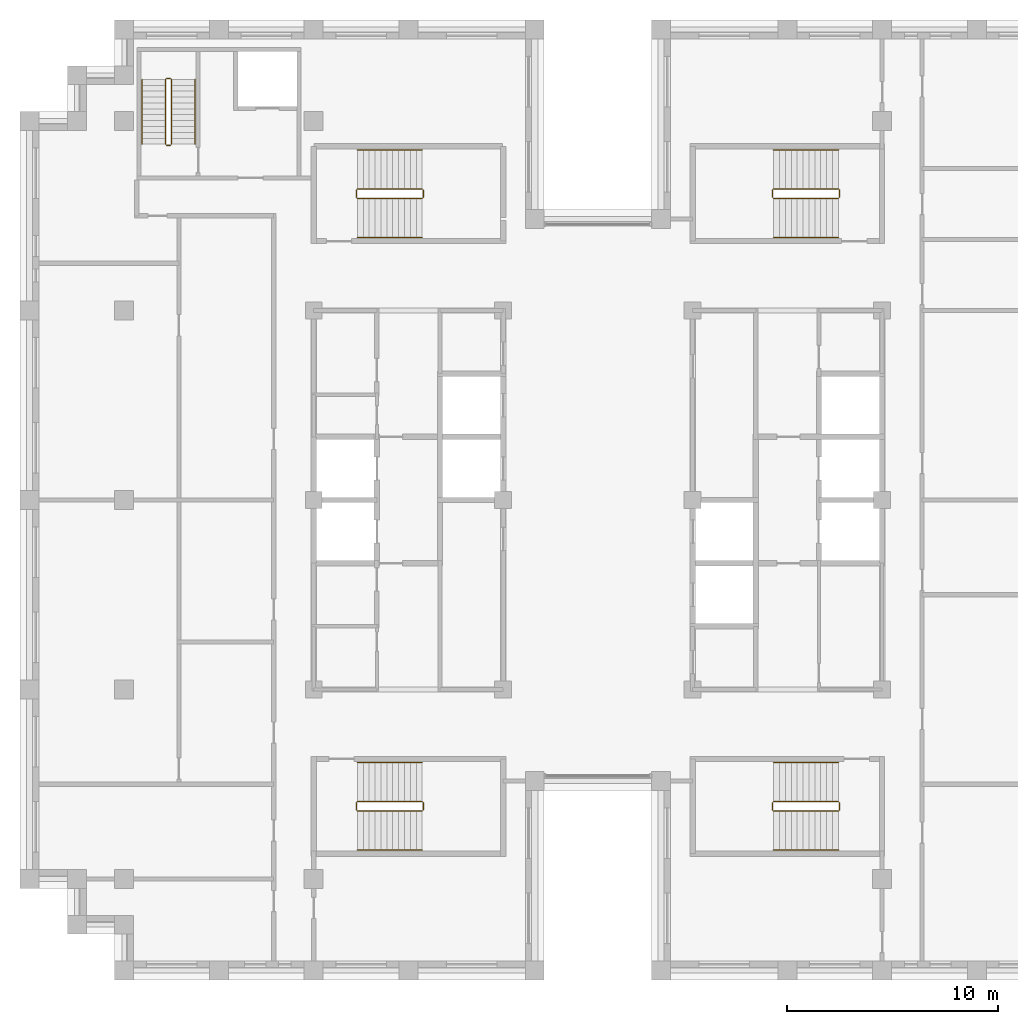
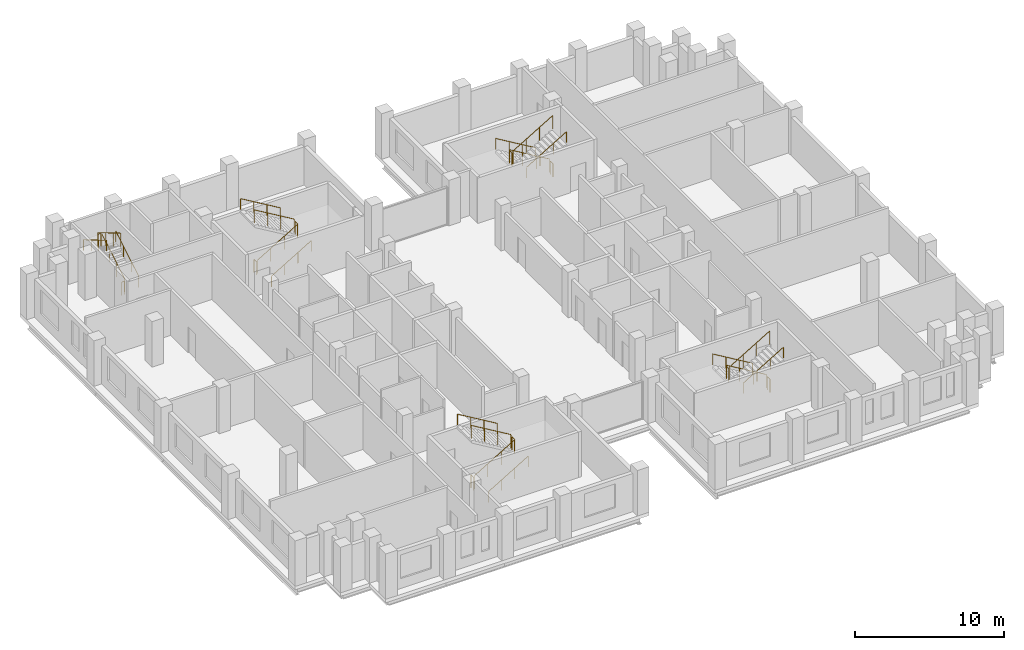
# One storey, part 13 of 13: 5 railings.
"""IFC4 building model written with IfcOpenShell, lengths in metres."""

from ifc_helpers import new_model, si_unit, direction, frame, origin, origin_2d, place, context, subcontext, project, spatial, circle, extrude, material, type_object, element, save


model = new_model("IFC4")

# Units and contexts
model_context = context("Model", 3, precision=1e-05, world=origin(), true_north=direction((0.0, 1.0)))
body_context = subcontext(model_context, "Body", "Model", "MODEL_VIEW")
ifc_project = project(units=[si_unit("LENGTHUNIT", "METRE"), si_unit("AREAUNIT", "SQUARE_METRE"), si_unit("VOLUMEUNIT", "CUBIC_METRE"), si_unit("PLANEANGLEUNIT", "RADIAN"), si_unit("MASSUNIT", "GRAM", prefix="KILO")], contexts=[model_context])

# Site, building, storey
site_placement = place(None, origin())
site = spatial("IfcSite", under=ifc_project, at=site_placement, CompositionType="ELEMENT")
building_placement = place(site_placement, origin())
building = spatial("IfcBuilding", under=site, at=building_placement, Name="Corbelhall Arena Tower", CompositionType="ELEMENT")
storey_placement = place(building_placement, frame((0.0, 0.0, 254.0)))
storey = spatial("IfcBuildingStorey", under=building, at=storey_placement, Name="L54", CompositionType="ELEMENT", Elevation=254.0)

# Railings
ifc_material = material(Name="Steel ASTM A500 Gr C", Category="steel")
railing_type = type_object("IfcRailingType", Name="IN-GD-1100", PredefinedType="GUARDRAIL", material=ifc_material)
railing_1_placement = place(storey_placement, frame((-11.425048828125, 14.324951171875, 0.166748046875)))
element("IfcRailing", 1, at=railing_1_placement, inside=storey, type_object=railing_type, Name="L54 ST1 stair guards and handrails", PredefinedType="GUARDRAIL", context=body_context, shape_type="SweptSolid", body=[
    extrude(circle(Radius=0.02392578125, at=origin_2d()), frame((0.0, 0.0, 1.076171875), z_axis=(0.859308565015, 0.0, 0.511457515432), x_axis=(0.0, 1.0, 0.0)), (0.0, 0.0, 1.0), 3.58447265625),
    extrude(circle(Radius=0.02392578125, at=origin_2d()), frame((3.130126953125, 0.050048828125, 2.9091796875), z_axis=(0.0, 1.0, 0.0), x_axis=(-1.0, 0.0, 0.0)), (0.0, 0.0, 1.0), 0.35009765625),
    extrude(circle(Radius=0.02392578125, at=origin_2d()), frame((3.080078125, 0.449951171875, 3.076171875), z_axis=(-0.859308565015, 0.0, 0.511457515432), x_axis=(0.0, -1.0, 0.0)), (0.0, 0.0, 1.0), 3.58447265625),
    extrude(circle(Radius=0.02392578125, at=origin_2d()), frame((-0.050048828125, 0.050048828125, 0.9091796875), z_axis=(0.0, 1.0, 0.0), x_axis=(-1.0, 0.0, 0.0)), (0.0, 0.0, 1.0), 0.35009765625),
    extrude(circle(Radius=0.02392578125, at=origin_2d()), frame((0.0, -1.849853515625, 0.8759765625), z_axis=(0.859308565015, 0.0, 0.511457515432), x_axis=(0.0, 1.0, 0.0)), (0.0, 0.0, 1.0), 3.58447265625),
    extrude(circle(Radius=0.02392578125, at=origin_2d()), frame((3.080078125, 2.300048828125, 2.8759765625), z_axis=(-0.859308565015, 0.0, 0.511457515432), x_axis=(0.0, -1.0, 0.0)), (0.0, 0.0, 1.0), 3.58447265625),
    extrude(circle(Radius=0.02099609375, at=origin_2d()), origin(), (0.0, 0.0, 1.0), 1.052001953125),
    extrude(circle(Radius=0.02099609375, at=origin_2d()), frame((1.026611328125, 0.0, 0.611083984375)), (0.0, 0.0, 1.0), 1.052001953125),
    extrude(circle(Radius=0.02099609375, at=origin_2d()), frame((2.053466796875, 0.0, 1.22216796875)), (0.0, 0.0, 1.0), 1.052001953125),
    extrude(circle(Radius=0.02099609375, at=origin_2d()), frame((3.080078125, 0.0, 1.833251953125)), (0.0, 0.0, 1.0), 1.052001953125),
    extrude(circle(Radius=0.02099609375, at=origin_2d()), frame((3.130126953125, 0.050048828125, 1.833251953125)), (0.0, 0.0, 1.0), 1.052001953125),
    extrude(circle(Radius=0.02099609375, at=origin_2d()), frame((3.130126953125, 0.400146484375, 1.833251953125)), (0.0, 0.0, 1.0), 1.052001953125),
    extrude(circle(Radius=0.02099609375, at=origin_2d()), frame((3.080078125, 0.449951171875, 2.0)), (0.0, 0.0, 1.0), 1.052001953125),
    extrude(circle(Radius=0.02099609375, at=origin_2d()), frame((2.053466796875, 0.449951171875, 2.611083984375)), (0.0, 0.0, 1.0), 1.052001953125),
    extrude(circle(Radius=0.02099609375, at=origin_2d()), frame((1.026611328125, 0.449951171875, 3.22216796875)), (0.0, 0.0, 1.0), 1.052001953125),
    extrude(circle(Radius=0.02099609375, at=origin_2d()), frame((0.0, 0.449951171875, 3.833251953125)), (0.0, 0.0, 1.0), 1.052001953125),
    extrude(circle(Radius=0.02099609375, at=origin_2d()), frame((-0.050048828125, 0.050048828125, -0.166748046875)), (0.0, 0.0, 1.0), 1.052001953125),
    extrude(circle(Radius=0.02099609375, at=origin_2d()), frame((-0.050048828125, 0.400146484375, -0.166748046875)), (0.0, 0.0, 1.0), 1.052001953125),
    extrude(circle(Radius=0.02099609375, at=origin_2d()), frame((0.0, -1.849853515625, 0.0)), (0.0, 0.0, 1.0), 0.851806640625),
    extrude(circle(Radius=0.02099609375, at=origin_2d()), frame((1.026611328125, -1.849853515625, 0.611083984375)), (0.0, 0.0, 1.0), 0.851806640625),
    extrude(circle(Radius=0.02099609375, at=origin_2d()), frame((2.053466796875, -1.849853515625, 1.22216796875)), (0.0, 0.0, 1.0), 0.851806640625),
    extrude(circle(Radius=0.02099609375, at=origin_2d()), frame((3.080078125, -1.849853515625, 1.833251953125)), (0.0, 0.0, 1.0), 0.851806640625),
    extrude(circle(Radius=0.02099609375, at=origin_2d()), frame((3.080078125, 2.300048828125, 2.0)), (0.0, 0.0, 1.0), 0.851806640625),
    extrude(circle(Radius=0.02099609375, at=origin_2d()), frame((2.053466796875, 2.300048828125, 2.611083984375)), (0.0, 0.0, 1.0), 0.851806640625),
    extrude(circle(Radius=0.02099609375, at=origin_2d()), frame((1.026611328125, 2.300048828125, 3.22216796875)), (0.0, 0.0, 1.0), 0.851806640625),
    extrude(circle(Radius=0.02099609375, at=origin_2d()), frame((0.0, 2.300048828125, 3.833251953125)), (0.0, 0.0, 1.0), 0.851806640625),
])
railing_2_placement = place(storey_placement, frame((-11.425048828125, -14.77490234375, 0.166748046875)))
element("IfcRailing", 2, at=railing_2_placement, inside=storey, type_object=railing_type, Name="L54 ST2 stair guards and handrails", PredefinedType="GUARDRAIL", context=body_context, shape_type="SweptSolid", body=[
    extrude(circle(Radius=0.02392578125, at=origin_2d()), frame((0.0, 0.0, 1.076171875), z_axis=(0.859308565015, 0.0, 0.511457515432), x_axis=(0.0, 1.0, 0.0)), (0.0, 0.0, 1.0), 3.58447265625),
    extrude(circle(Radius=0.02392578125, at=origin_2d()), frame((3.130126953125, 0.0498046875, 2.9091796875), z_axis=(0.0, 1.0, 0.0), x_axis=(-1.0, 0.0, 0.0)), (0.0, 0.0, 1.0), 0.35009765625),
    extrude(circle(Radius=0.02392578125, at=origin_2d()), frame((3.080078125, 0.449951171875, 3.076171875), z_axis=(-0.859308565015, 0.0, 0.511457515432), x_axis=(0.0, -1.0, 0.0)), (0.0, 0.0, 1.0), 3.58447265625),
    extrude(circle(Radius=0.02392578125, at=origin_2d()), frame((-0.050048828125, 0.0498046875, 0.9091796875), z_axis=(0.0, 1.0, 0.0), x_axis=(-1.0, 0.0, 0.0)), (0.0, 0.0, 1.0), 0.35009765625),
    extrude(circle(Radius=0.02392578125, at=origin_2d()), frame((0.0, -1.85009765625, 0.8759765625), z_axis=(0.859308565015, 0.0, 0.511457515432), x_axis=(0.0, 1.0, 0.0)), (0.0, 0.0, 1.0), 3.58447265625),
    extrude(circle(Radius=0.02392578125, at=origin_2d()), frame((3.080078125, 2.2998046875, 2.8759765625), z_axis=(-0.859308565015, 0.0, 0.511457515432), x_axis=(0.0, -1.0, 0.0)), (0.0, 0.0, 1.0), 3.58447265625),
    extrude(circle(Radius=0.02099609375, at=origin_2d()), origin(), (0.0, 0.0, 1.0), 1.052001953125),
    extrude(circle(Radius=0.02099609375, at=origin_2d()), frame((1.026611328125, 0.0, 0.611083984375)), (0.0, 0.0, 1.0), 1.052001953125),
    extrude(circle(Radius=0.02099609375, at=origin_2d()), frame((2.053466796875, 0.0, 1.22216796875)), (0.0, 0.0, 1.0), 1.052001953125),
    extrude(circle(Radius=0.02099609375, at=origin_2d()), frame((3.080078125, 0.0, 1.833251953125)), (0.0, 0.0, 1.0), 1.052001953125),
    extrude(circle(Radius=0.02099609375, at=origin_2d()), frame((3.130126953125, 0.0498046875, 1.833251953125)), (0.0, 0.0, 1.0), 1.052001953125),
    extrude(circle(Radius=0.02099609375, at=origin_2d()), frame((3.130126953125, 0.39990234375, 1.833251953125)), (0.0, 0.0, 1.0), 1.052001953125),
    extrude(circle(Radius=0.02099609375, at=origin_2d()), frame((3.080078125, 0.449951171875, 2.0)), (0.0, 0.0, 1.0), 1.052001953125),
    extrude(circle(Radius=0.02099609375, at=origin_2d()), frame((2.053466796875, 0.449951171875, 2.611083984375)), (0.0, 0.0, 1.0), 1.052001953125),
    extrude(circle(Radius=0.02099609375, at=origin_2d()), frame((1.026611328125, 0.449951171875, 3.22216796875)), (0.0, 0.0, 1.0), 1.052001953125),
    extrude(circle(Radius=0.02099609375, at=origin_2d()), frame((0.0, 0.449951171875, 3.833251953125)), (0.0, 0.0, 1.0), 1.052001953125),
    extrude(circle(Radius=0.02099609375, at=origin_2d()), frame((-0.050048828125, 0.0498046875, -0.166748046875)), (0.0, 0.0, 1.0), 1.052001953125),
    extrude(circle(Radius=0.02099609375, at=origin_2d()), frame((-0.050048828125, 0.39990234375, -0.166748046875)), (0.0, 0.0, 1.0), 1.052001953125),
    extrude(circle(Radius=0.02099609375, at=origin_2d()), frame((0.0, -1.85009765625, 0.0)), (0.0, 0.0, 1.0), 0.851806640625),
    extrude(circle(Radius=0.02099609375, at=origin_2d()), frame((1.026611328125, -1.85009765625, 0.611083984375)), (0.0, 0.0, 1.0), 0.851806640625),
    extrude(circle(Radius=0.02099609375, at=origin_2d()), frame((2.053466796875, -1.85009765625, 1.22216796875)), (0.0, 0.0, 1.0), 0.851806640625),
    extrude(circle(Radius=0.02099609375, at=origin_2d()), frame((3.080078125, -1.85009765625, 1.833251953125)), (0.0, 0.0, 1.0), 0.851806640625),
    extrude(circle(Radius=0.02099609375, at=origin_2d()), frame((3.080078125, 2.2998046875, 2.0)), (0.0, 0.0, 1.0), 0.851806640625),
    extrude(circle(Radius=0.02099609375, at=origin_2d()), frame((2.053466796875, 2.2998046875, 2.611083984375)), (0.0, 0.0, 1.0), 0.851806640625),
    extrude(circle(Radius=0.02099609375, at=origin_2d()), frame((1.026611328125, 2.2998046875, 3.22216796875)), (0.0, 0.0, 1.0), 0.851806640625),
    extrude(circle(Radius=0.02099609375, at=origin_2d()), frame((0.0, 2.2998046875, 3.833251953125)), (0.0, 0.0, 1.0), 0.851806640625),
])
railing_3_placement = place(storey_placement, frame((11.425048828125, 14.77490234375, 0.166748046875)))
element("IfcRailing", 3, at=railing_3_placement, inside=storey, type_object=railing_type, Name="L54 ST3 stair guards and handrails", PredefinedType="GUARDRAIL", context=body_context, shape_type="SweptSolid", body=[
    extrude(circle(Radius=0.02392578125, at=origin_2d()), frame((0.0, 0.0, 1.076171875), z_axis=(-0.859308565015, 0.0, 0.511457515432), x_axis=(0.0, -1.0, 0.0)), (0.0, 0.0, 1.0), 3.58447265625),
    extrude(circle(Radius=0.02392578125, at=origin_2d()), frame((-3.130126953125, -0.0498046875, 2.9091796875), z_axis=(0.0, -1.0, 0.0), x_axis=(1.0, 0.0, 0.0)), (0.0, 0.0, 1.0), 0.35009765625),
    extrude(circle(Radius=0.02392578125, at=origin_2d()), frame((-3.080078125, -0.449951171875, 3.076171875), z_axis=(0.859308565015, 0.0, 0.511457515432), x_axis=(0.0, 1.0, 0.0)), (0.0, 0.0, 1.0), 3.58447265625),
    extrude(circle(Radius=0.02392578125, at=origin_2d()), frame((0.050048828125, -0.0498046875, 0.9091796875), z_axis=(0.0, -1.0, 0.0), x_axis=(1.0, 0.0, 0.0)), (0.0, 0.0, 1.0), 0.35009765625),
    extrude(circle(Radius=0.02392578125, at=origin_2d()), frame((0.0, 1.85009765625, 0.8759765625), z_axis=(-0.859308565015, 0.0, 0.511457515432), x_axis=(0.0, -1.0, 0.0)), (0.0, 0.0, 1.0), 3.58447265625),
    extrude(circle(Radius=0.02392578125, at=origin_2d()), frame((-3.080078125, -2.2998046875, 2.8759765625), z_axis=(0.859308565015, 0.0, 0.511457515432), x_axis=(0.0, 1.0, 0.0)), (0.0, 0.0, 1.0), 3.58447265625),
    extrude(circle(Radius=0.02099609375, at=origin_2d()), origin(), (0.0, 0.0, 1.0), 1.052001953125),
    extrude(circle(Radius=0.02099609375, at=origin_2d()), frame((-1.026611328125, 0.0, 0.611083984375)), (0.0, 0.0, 1.0), 1.052001953125),
    extrude(circle(Radius=0.02099609375, at=origin_2d()), frame((-2.053466796875, 0.0, 1.22216796875)), (0.0, 0.0, 1.0), 1.052001953125),
    extrude(circle(Radius=0.02099609375, at=origin_2d()), frame((-3.080078125, 0.0, 1.833251953125)), (0.0, 0.0, 1.0), 1.052001953125),
    extrude(circle(Radius=0.02099609375, at=origin_2d()), frame((-3.130126953125, -0.0498046875, 1.833251953125)), (0.0, 0.0, 1.0), 1.052001953125),
    extrude(circle(Radius=0.02099609375, at=origin_2d()), frame((-3.130126953125, -0.39990234375, 1.833251953125)), (0.0, 0.0, 1.0), 1.052001953125),
    extrude(circle(Radius=0.02099609375, at=origin_2d()), frame((-3.080078125, -0.449951171875, 2.0)), (0.0, 0.0, 1.0), 1.052001953125),
    extrude(circle(Radius=0.02099609375, at=origin_2d()), frame((-2.053466796875, -0.449951171875, 2.611083984375)), (0.0, 0.0, 1.0), 1.052001953125),
    extrude(circle(Radius=0.02099609375, at=origin_2d()), frame((-1.026611328125, -0.449951171875, 3.22216796875)), (0.0, 0.0, 1.0), 1.052001953125),
    extrude(circle(Radius=0.02099609375, at=origin_2d()), frame((0.0, -0.449951171875, 3.833251953125)), (0.0, 0.0, 1.0), 1.052001953125),
    extrude(circle(Radius=0.02099609375, at=origin_2d()), frame((0.050048828125, -0.0498046875, -0.166748046875)), (0.0, 0.0, 1.0), 1.052001953125),
    extrude(circle(Radius=0.02099609375, at=origin_2d()), frame((0.050048828125, -0.39990234375, -0.166748046875)), (0.0, 0.0, 1.0), 1.052001953125),
    extrude(circle(Radius=0.02099609375, at=origin_2d()), frame((0.0, 1.85009765625, 0.0)), (0.0, 0.0, 1.0), 0.851806640625),
    extrude(circle(Radius=0.02099609375, at=origin_2d()), frame((-1.026611328125, 1.85009765625, 0.611083984375)), (0.0, 0.0, 1.0), 0.851806640625),
    extrude(circle(Radius=0.02099609375, at=origin_2d()), frame((-2.053466796875, 1.85009765625, 1.22216796875)), (0.0, 0.0, 1.0), 0.851806640625),
    extrude(circle(Radius=0.02099609375, at=origin_2d()), frame((-3.080078125, 1.85009765625, 1.833251953125)), (0.0, 0.0, 1.0), 0.851806640625),
    extrude(circle(Radius=0.02099609375, at=origin_2d()), frame((-3.080078125, -2.2998046875, 2.0)), (0.0, 0.0, 1.0), 0.851806640625),
    extrude(circle(Radius=0.02099609375, at=origin_2d()), frame((-2.053466796875, -2.2998046875, 2.611083984375)), (0.0, 0.0, 1.0), 0.851806640625),
    extrude(circle(Radius=0.02099609375, at=origin_2d()), frame((-1.026611328125, -2.2998046875, 3.22216796875)), (0.0, 0.0, 1.0), 0.851806640625),
    extrude(circle(Radius=0.02099609375, at=origin_2d()), frame((0.0, -2.2998046875, 3.833251953125)), (0.0, 0.0, 1.0), 0.851806640625),
])
railing_4_placement = place(storey_placement, frame((11.425048828125, -14.324951171875, 0.166748046875)))
element("IfcRailing", 4, at=railing_4_placement, inside=storey, type_object=railing_type, Name="L54 ST4 stair guards and handrails", PredefinedType="GUARDRAIL", context=body_context, shape_type="SweptSolid", body=[
    extrude(circle(Radius=0.02392578125, at=origin_2d()), frame((0.0, 0.0, 1.076171875), z_axis=(-0.859308565015, 0.0, 0.511457515432), x_axis=(0.0, -1.0, 0.0)), (0.0, 0.0, 1.0), 3.58447265625),
    extrude(circle(Radius=0.02392578125, at=origin_2d()), frame((-3.130126953125, -0.050048828125, 2.9091796875), z_axis=(0.0, -1.0, 0.0), x_axis=(1.0, 0.0, 0.0)), (0.0, 0.0, 1.0), 0.35009765625),
    extrude(circle(Radius=0.02392578125, at=origin_2d()), frame((-3.080078125, -0.449951171875, 3.076171875), z_axis=(0.859308565015, 0.0, 0.511457515432), x_axis=(0.0, 1.0, 0.0)), (0.0, 0.0, 1.0), 3.58447265625),
    extrude(circle(Radius=0.02392578125, at=origin_2d()), frame((0.050048828125, -0.050048828125, 0.9091796875), z_axis=(0.0, -1.0, 0.0), x_axis=(1.0, 0.0, 0.0)), (0.0, 0.0, 1.0), 0.35009765625),
    extrude(circle(Radius=0.02392578125, at=origin_2d()), frame((0.0, 1.849853515625, 0.8759765625), z_axis=(-0.859308565015, 0.0, 0.511457515432), x_axis=(0.0, -1.0, 0.0)), (0.0, 0.0, 1.0), 3.58447265625),
    extrude(circle(Radius=0.02392578125, at=origin_2d()), frame((-3.080078125, -2.300048828125, 2.8759765625), z_axis=(0.859308565015, 0.0, 0.511457515432), x_axis=(0.0, 1.0, 0.0)), (0.0, 0.0, 1.0), 3.58447265625),
    extrude(circle(Radius=0.02099609375, at=origin_2d()), origin(), (0.0, 0.0, 1.0), 1.052001953125),
    extrude(circle(Radius=0.02099609375, at=origin_2d()), frame((-1.026611328125, 0.0, 0.611083984375)), (0.0, 0.0, 1.0), 1.052001953125),
    extrude(circle(Radius=0.02099609375, at=origin_2d()), frame((-2.053466796875, 0.0, 1.22216796875)), (0.0, 0.0, 1.0), 1.052001953125),
    extrude(circle(Radius=0.02099609375, at=origin_2d()), frame((-3.080078125, 0.0, 1.833251953125)), (0.0, 0.0, 1.0), 1.052001953125),
    extrude(circle(Radius=0.02099609375, at=origin_2d()), frame((-3.130126953125, -0.050048828125, 1.833251953125)), (0.0, 0.0, 1.0), 1.052001953125),
    extrude(circle(Radius=0.02099609375, at=origin_2d()), frame((-3.130126953125, -0.400146484375, 1.833251953125)), (0.0, 0.0, 1.0), 1.052001953125),
    extrude(circle(Radius=0.02099609375, at=origin_2d()), frame((-3.080078125, -0.449951171875, 2.0)), (0.0, 0.0, 1.0), 1.052001953125),
    extrude(circle(Radius=0.02099609375, at=origin_2d()), frame((-2.053466796875, -0.449951171875, 2.611083984375)), (0.0, 0.0, 1.0), 1.052001953125),
    extrude(circle(Radius=0.02099609375, at=origin_2d()), frame((-1.026611328125, -0.449951171875, 3.22216796875)), (0.0, 0.0, 1.0), 1.052001953125),
    extrude(circle(Radius=0.02099609375, at=origin_2d()), frame((0.0, -0.449951171875, 3.833251953125)), (0.0, 0.0, 1.0), 1.052001953125),
    extrude(circle(Radius=0.02099609375, at=origin_2d()), frame((0.050048828125, -0.050048828125, -0.166748046875)), (0.0, 0.0, 1.0), 1.052001953125),
    extrude(circle(Radius=0.02099609375, at=origin_2d()), frame((0.050048828125, -0.400146484375, -0.166748046875)), (0.0, 0.0, 1.0), 1.052001953125),
    extrude(circle(Radius=0.02099609375, at=origin_2d()), frame((0.0, 1.849853515625, 0.0)), (0.0, 0.0, 1.0), 0.851806640625),
    extrude(circle(Radius=0.02099609375, at=origin_2d()), frame((-1.026611328125, 1.849853515625, 0.611083984375)), (0.0, 0.0, 1.0), 0.851806640625),
    extrude(circle(Radius=0.02099609375, at=origin_2d()), frame((-2.053466796875, 1.849853515625, 1.22216796875)), (0.0, 0.0, 1.0), 0.851806640625),
    extrude(circle(Radius=0.02099609375, at=origin_2d()), frame((-3.080078125, 1.849853515625, 1.833251953125)), (0.0, 0.0, 1.0), 0.851806640625),
    extrude(circle(Radius=0.02099609375, at=origin_2d()), frame((-3.080078125, -2.300048828125, 2.0)), (0.0, 0.0, 1.0), 0.851806640625),
    extrude(circle(Radius=0.02099609375, at=origin_2d()), frame((-2.053466796875, -2.300048828125, 2.611083984375)), (0.0, 0.0, 1.0), 0.851806640625),
    extrude(circle(Radius=0.02099609375, at=origin_2d()), frame((-1.026611328125, -2.300048828125, 3.22216796875)), (0.0, 0.0, 1.0), 0.851806640625),
    extrude(circle(Radius=0.02099609375, at=origin_2d()), frame((0.0, -2.300048828125, 3.833251953125)), (0.0, 0.0, 1.0), 0.851806640625),
])
railing_5_placement = place(storey_placement, frame((-20.2451171875, 16.89990234375, 0.166748046875)))
element("IfcRailing", 5, at=railing_5_placement, inside=storey, type_object=railing_type, Name="L54 ST5 stair guards and handrails", PredefinedType="GUARDRAIL", context=body_context, shape_type="SweptSolid", body=[
    extrude(circle(Radius=0.02392578125, at=origin_2d()), frame((0.0, 0.0, 1.076171875), z_axis=(0.0, 0.859308565015, 0.511457515432), x_axis=(-1.0, 0.0, 0.0)), (0.0, 0.0, 1.0), 3.58447265625),
    extrude(circle(Radius=0.02392578125, at=origin_2d()), frame((-0.0498046875, 3.130126953125, 2.9091796875), z_axis=(-1.0, 0.0, 0.0), x_axis=(0.0, -1.0, 0.0)), (0.0, 0.0, 1.0), 0.2001953125),
    extrude(circle(Radius=0.02392578125, at=origin_2d()), frame((-0.2998046875, 3.080078125, 3.076171875), z_axis=(0.0, -0.859308565015, 0.511457515432), x_axis=(1.0, 0.0, 0.0)), (0.0, 0.0, 1.0), 3.58447265625),
    extrude(circle(Radius=0.02392578125, at=origin_2d()), frame((-0.0498046875, -0.0498046875, 0.9091796875), z_axis=(-1.0, 0.0, 0.0), x_axis=(0.0, -1.0, 0.0)), (0.0, 0.0, 1.0), 0.2001953125),
    extrude(circle(Radius=0.02392578125, at=origin_2d()), frame((1.10009765625, 0.0, 0.8759765625), z_axis=(0.0, 0.859308565015, 0.511457515432), x_axis=(-1.0, 0.0, 0.0)), (0.0, 0.0, 1.0), 3.58447265625),
    extrude(circle(Radius=0.02392578125, at=origin_2d()), frame((-1.39990234375, 3.080078125, 2.8759765625), z_axis=(0.0, -0.859308565015, 0.511457515432), x_axis=(1.0, 0.0, 0.0)), (0.0, 0.0, 1.0), 3.58447265625),
    extrude(circle(Radius=0.02099609375, at=origin_2d()), origin(), (0.0, 0.0, 1.0), 1.052001953125),
    extrude(circle(Radius=0.02099609375, at=origin_2d()), frame((0.0, 1.026611328125, 0.611083984375)), (0.0, 0.0, 1.0), 1.052001953125),
    extrude(circle(Radius=0.02099609375, at=origin_2d()), frame((0.0, 2.053466796875, 1.22216796875)), (0.0, 0.0, 1.0), 1.052001953125),
    extrude(circle(Radius=0.02099609375, at=origin_2d()), frame((0.0, 3.080078125, 1.833251953125)), (0.0, 0.0, 1.0), 1.052001953125),
    extrude(circle(Radius=0.02099609375, at=origin_2d()), frame((-0.0498046875, 3.130126953125, 1.833251953125)), (0.0, 0.0, 1.0), 1.052001953125),
    extrude(circle(Radius=0.02099609375, at=origin_2d()), frame((-0.25, 3.130126953125, 1.833251953125)), (0.0, 0.0, 1.0), 1.052001953125),
    extrude(circle(Radius=0.02099609375, at=origin_2d()), frame((-0.2998046875, 3.080078125, 2.0)), (0.0, 0.0, 1.0), 1.052001953125),
    extrude(circle(Radius=0.02099609375, at=origin_2d()), frame((-0.2998046875, 2.053466796875, 2.611083984375)), (0.0, 0.0, 1.0), 1.052001953125),
    extrude(circle(Radius=0.02099609375, at=origin_2d()), frame((-0.2998046875, 1.026611328125, 3.22216796875)), (0.0, 0.0, 1.0), 1.052001953125),
    extrude(circle(Radius=0.02099609375, at=origin_2d()), frame((-0.2998046875, 0.0, 3.833251953125)), (0.0, 0.0, 1.0), 1.052001953125),
    extrude(circle(Radius=0.02099609375, at=origin_2d()), frame((-0.0498046875, -0.0498046875, -0.166748046875)), (0.0, 0.0, 1.0), 1.052001953125),
    extrude(circle(Radius=0.02099609375, at=origin_2d()), frame((-0.25, -0.0498046875, -0.166748046875)), (0.0, 0.0, 1.0), 1.052001953125),
    extrude(circle(Radius=0.02099609375, at=origin_2d()), frame((1.10009765625, 0.0, 0.0)), (0.0, 0.0, 1.0), 0.851806640625),
    extrude(circle(Radius=0.02099609375, at=origin_2d()), frame((1.10009765625, 1.026611328125, 0.611083984375)), (0.0, 0.0, 1.0), 0.851806640625),
    extrude(circle(Radius=0.02099609375, at=origin_2d()), frame((1.10009765625, 2.053466796875, 1.22216796875)), (0.0, 0.0, 1.0), 0.851806640625),
    extrude(circle(Radius=0.02099609375, at=origin_2d()), frame((1.10009765625, 3.080078125, 1.833251953125)), (0.0, 0.0, 1.0), 0.851806640625),
    extrude(circle(Radius=0.02099609375, at=origin_2d()), frame((-1.39990234375, 3.080078125, 2.0)), (0.0, 0.0, 1.0), 0.851806640625),
    extrude(circle(Radius=0.02099609375, at=origin_2d()), frame((-1.39990234375, 2.053466796875, 2.611083984375)), (0.0, 0.0, 1.0), 0.851806640625),
    extrude(circle(Radius=0.02099609375, at=origin_2d()), frame((-1.39990234375, 1.026611328125, 3.22216796875)), (0.0, 0.0, 1.0), 0.851806640625),
    extrude(circle(Radius=0.02099609375, at=origin_2d()), frame((-1.39990234375, 0.0, 3.833251953125)), (0.0, 0.0, 1.0), 0.851806640625),
])

save(model, "model.ifc")
